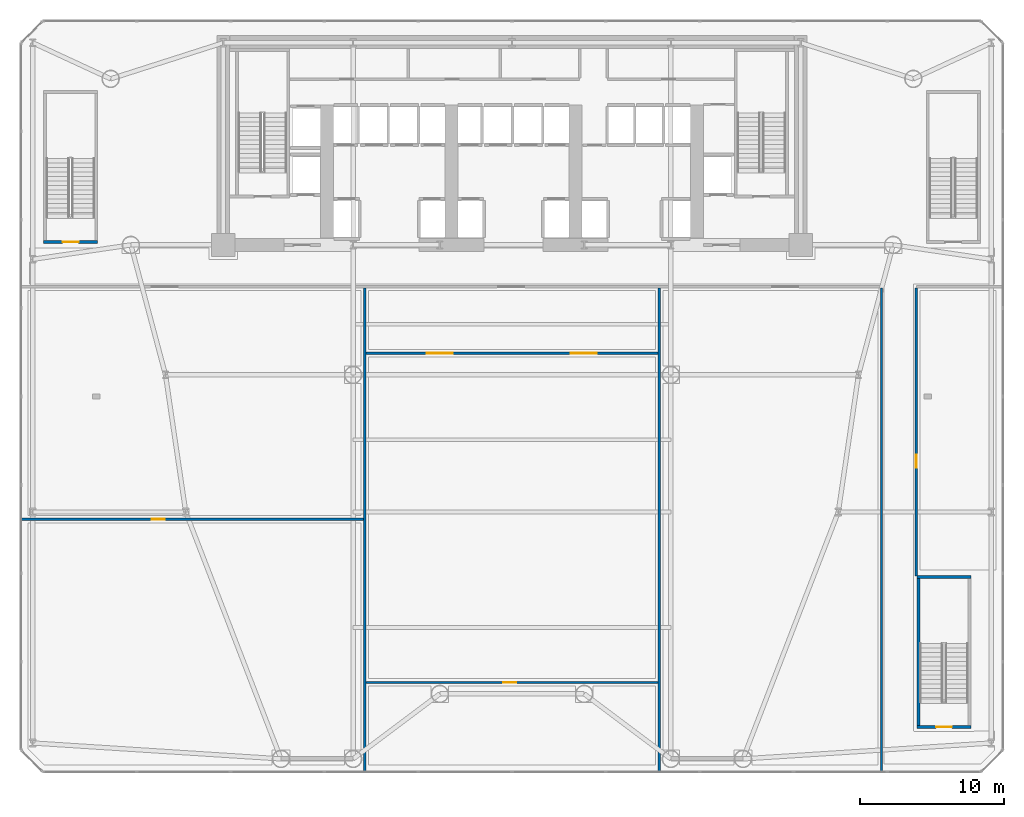
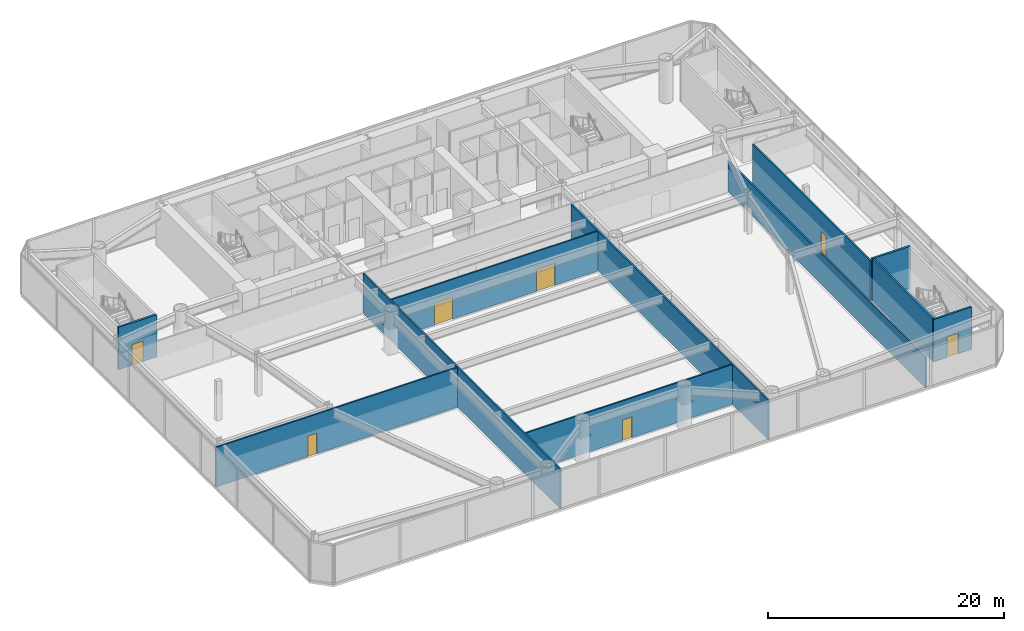
# One storey, part 13 of 24: 11 walls, 7 doors, 7 openings.
"""IFC4 building model written with IfcOpenShell, lengths in metres."""

from ifc_helpers import new_model, si_unit, direction, frame, frame_2d, origin, place, context, subcontext, project, spatial, rectangle, extrude, source, transform, mapped, material, layer, layer_set, type_object, element, fill, save


model = new_model("IFC4")

# Units and contexts
model_context = context("Model", 3, precision=1e-05, world=origin(), true_north=direction((0.0, 1.0)))
body_context = subcontext(model_context, "Body", "Model", "MODEL_VIEW")
ifc_project = project(units=[si_unit("LENGTHUNIT", "METRE"), si_unit("AREAUNIT", "SQUARE_METRE"), si_unit("VOLUMEUNIT", "CUBIC_METRE"), si_unit("PLANEANGLEUNIT", "RADIAN"), si_unit("MASSUNIT", "GRAM", prefix="KILO")], contexts=[model_context])

# Site, building, storey
site_placement = place(None, origin())
site = spatial("IfcSite", under=ifc_project, at=site_placement, CompositionType="ELEMENT")
building_placement = place(site_placement, origin())
building = spatial("IfcBuilding", under=site, at=building_placement, Name="Vaeldorn Concourse Tower", CompositionType="ELEMENT")
storey_placement = place(building_placement, frame((0.0, 0.0, 10.0)))
storey = spatial("IfcBuildingStorey", under=building, at=storey_placement, Name="L02", CompositionType="ELEMENT", Elevation=10.0)

# Wall
ifc_material_1 = material(Name="Gypsum Board Partition", Category="gypsum")
ifc_layer_1 = layer(ifc_material_1, 0.14990234375)
ifc_layer_set_1 = layer_set([ifc_layer_1], Name="Gypsum Board Partition")
wall_type_1 = type_object("IfcWallType", Name="WL-PART-150", PredefinedType="PARTITIONING", material=ifc_layer_set_1)
wall_1_placement = place(storey_placement, frame((59.60009765625, 0.0400390625, 0.0), z_axis=(0.0, 0.0, 1.0), x_axis=(0.0, 1.0, 0.0)))
element("IfcWall", 1, at=wall_1_placement, inside=storey, type_object=wall_type_1, Name="Interior Wall PW-L02-SPW", PredefinedType="PARTITIONING", context=body_context, shape_type="SweptSolid", body=[
    extrude(rectangle(XDim=33.47998046875, YDim=0.14990234375, at=frame_2d((16.739990234375, 0.0))), origin(), (0.0, 0.0, 1.0), 3.199951171875),
])

# Wall, opening, door
wall_2_placement = place(storey_placement, frame((62.0, 13.550048828125, 0.0), z_axis=(0.0, 0.0, 1.0), x_axis=(0.0, 1.0, 0.0)))
wall_2 = element("IfcWall", 2, at=wall_2_placement, inside=storey, type_object=wall_type_1, Name="Interior Wall PW-L02-SPE", PredefinedType="PARTITIONING", context=body_context, shape_type="SweptSolid", body=[
    extrude(rectangle(XDim=19.969970703125, YDim=0.14990234375, at=frame_2d((9.98486328125, 0.0))), origin(), (0.0, 0.0, 1.0), 4.1201171875),
])
opening_1_placement = place(wall_2_placement, frame((7.5, 0.0, 0.0)))
opening_1 = element("IfcOpeningElement", 3, at=opening_1_placement, cuts=wall_2, Name="Opening D-03", PredefinedType="OPENING", context=body_context, shape_type="SweptSolid", body=[
    extrude(rectangle(XDim=0.89990234375, YDim=2.14990234375, at=frame_2d((0.449951171875, 1.074951171875))), frame((0.0, 0.0849609375, 0.0), z_axis=(0.0, -1.0, 0.0), x_axis=(1.0, 0.0, 0.0)), (0.0, 0.0, 1.0), 0.169921875),
])
ifc_material_2 = material(Name="Acoustic Bronze-Framed Glass Door", Category="glass")
door_type_1 = type_object("IfcDoorType", Name="DR-INT-900", OperationType="NOTDEFINED", PredefinedType="DOOR", material=ifc_material_2)
shared_shape_1 = source(origin(), body_context, "Body", "SweptSolid", [
    extrude(rectangle(XDim=0.89990234375, YDim=2.14990234375, at=frame_2d((0.449951171875, 1.074951171875))), frame((0.0, 0.02490234375, 0.0), z_axis=(0.0, -1.0, 0.0), x_axis=(1.0, 0.0, 0.0)), (0.0, 0.0, 1.0), 0.050048828125),
])
door_1_placement = place(opening_1_placement, origin())
door_1 = element("IfcDoor", 4, at=door_1_placement, inside=storey, type_object=door_type_1, Name="Interior Door DR-L02-AVRM", OperationType="SINGLE_SWING_LEFT", OverallHeight=2.14990234375, OverallWidth=0.89990234375, PredefinedType="DOOR", context=body_context, shape_type="MappedRepresentation", body=[
    mapped(shared_shape_1, transform((0.0, 0.0, 0.0), scale=1.0)),
])
fill(opening_1, door_1)

# Walls
for number, where, z_axis, x_axis, name in (
    (5, (23.800048828125, 0.0400390625, 0.0), (0.0, 0.0, 1.0), (0.0, 1.0, 0.0), "Interior Wall PW-L02-W1"),
    (6, (44.199951171875, 0.0400390625, 0.0), (0.0, 0.0, 1.0), (0.0, 1.0, 0.0), "Interior Wall PW-L02-W2"),
):
    element("IfcWall", number, at=place(storey_placement, frame(where, z_axis=z_axis, x_axis=x_axis)), inside=storey, type_object=wall_type_1, Name=name, PredefinedType="PARTITIONING", context=body_context, shape_type="SweptSolid", body=[
        extrude(rectangle(XDim=33.47998046875, YDim=0.14990234375, at=frame_2d((16.739990234375, 0.0))), origin(), (0.0, 0.0, 1.0), 4.1201171875),
    ])

# Wall, openings, doors
wall_3_placement = place(storey_placement, frame((23.8798828125, 29.0, 0.0), z_axis=(0.0, 0.0, 1.0), x_axis=(1.0, 0.0, 0.0)))
wall_3 = element("IfcWall", 7, at=wall_3_placement, inside=storey, type_object=wall_type_1, Name="Interior Wall PW-L02-W3", PredefinedType="PARTITIONING", context=body_context, shape_type="SweptSolid", body=[
    extrude(rectangle(XDim=20.240234375, YDim=0.14990234375, at=frame_2d((10.1201171875, 0.0))), origin(), (0.0, 0.0, 1.0), 4.1201171875),
])
opening_2_placement = place(wall_3_placement, frame((4.199951171875, 0.0, 0.0)))
opening_2 = element("IfcOpeningElement", 8, at=opening_2_placement, cuts=wall_3, Name="Opening D-05", PredefinedType="OPENING", context=body_context, shape_type="SweptSolid", body=[
    extrude(rectangle(XDim=1.800048828125, YDim=2.25, at=frame_2d((0.89990234375, 1.125))), frame((0.0, 0.0849609375, 0.0), z_axis=(0.0, -1.0, 0.0), x_axis=(1.0, 0.0, 0.0)), (0.0, 0.0, 1.0), 0.169921875),
])
opening_3_placement = place(wall_3_placement, frame((14.199951171875, 0.0, 0.0)))
opening_3 = element("IfcOpeningElement", 9, at=opening_3_placement, cuts=wall_3, Name="Opening D-05", PredefinedType="OPENING", context=body_context, shape_type="SweptSolid", body=[
    extrude(rectangle(XDim=1.800048828125, YDim=2.25, at=frame_2d((0.89990234375, 1.125))), frame((0.0, 0.0849609375, 0.0), z_axis=(0.0, -1.0, 0.0), x_axis=(1.0, 0.0, 0.0)), (0.0, 0.0, 1.0), 0.169921875),
])
door_type_2 = type_object("IfcDoorType", Name="DR-DBL-1800", OperationType="DOUBLE_DOOR_SINGLE_SWING", PredefinedType="DOOR", material=ifc_material_2)
shared_shape_2 = source(origin(), body_context, "Body", "SweptSolid", [
    extrude(rectangle(XDim=1.800048828125, YDim=2.25, at=frame_2d((0.89990234375, 1.125))), frame((0.0, 0.02490234375, 0.0), z_axis=(0.0, -1.0, 0.0), x_axis=(1.0, 0.0, 0.0)), (0.0, 0.0, 1.0), 0.050048828125),
])
door_2_placement = place(opening_2_placement, origin())
door_2 = element("IfcDoor", 10, at=door_2_placement, inside=storey, type_object=door_type_2, Name="Interior Door DR-L02-AUD1", OperationType="DOUBLE_DOOR_SINGLE_SWING", OverallHeight=2.25, OverallWidth=1.800048828125, PredefinedType="DOOR", context=body_context, shape_type="MappedRepresentation", body=[
    mapped(shared_shape_2, transform((0.0, 0.0, 0.0), scale=1.0)),
])
fill(opening_2, door_2)
door_3_placement = place(opening_3_placement, origin())
door_3 = element("IfcDoor", 11, at=door_3_placement, inside=storey, type_object=door_type_2, Name="Interior Door DR-L02-AUD2", OperationType="DOUBLE_DOOR_SINGLE_SWING", OverallHeight=2.25, OverallWidth=1.800048828125, PredefinedType="DOOR", context=body_context, shape_type="MappedRepresentation", body=[
    mapped(shared_shape_2, transform((0.0, 0.0, 0.0), scale=1.0)),
])
fill(opening_3, door_3)

# Wall, opening, door
wall_4_placement = place(storey_placement, frame((23.8798828125, 6.199951171875, 0.0), z_axis=(0.0, 0.0, 1.0), x_axis=(1.0, 0.0, 0.0)))
wall_4 = element("IfcWall", 12, at=wall_4_placement, inside=storey, type_object=wall_type_1, Name="Interior Wall PW-L02-W4", PredefinedType="PARTITIONING", context=body_context, shape_type="SweptSolid", body=[
    extrude(rectangle(XDim=20.240234375, YDim=0.14990234375, at=frame_2d((10.1201171875, 0.0))), origin(), (0.0, 0.0, 1.0), 4.1201171875),
])
opening_4_placement = place(wall_4_placement, frame((9.5, 0.0, 0.0)))
opening_4 = element("IfcOpeningElement", 13, at=opening_4_placement, cuts=wall_4, Name="Opening D-03", PredefinedType="OPENING", context=body_context, shape_type="SweptSolid", body=[
    extrude(rectangle(XDim=0.89990234375, YDim=2.14990234375, at=frame_2d((0.449951171875, 1.074951171875))), frame((0.0, 0.0849609375, 0.0), z_axis=(0.0, -1.0, 0.0), x_axis=(1.0, 0.0, 0.0)), (0.0, 0.0, 1.0), 0.169921875),
])
door_4_placement = place(opening_4_placement, origin())
door_4 = element("IfcDoor", 14, at=door_4_placement, inside=storey, type_object=door_type_1, Name="Interior Door DR-L02-GRN", OperationType="SINGLE_SWING_RIGHT", OverallHeight=2.14990234375, OverallWidth=0.89990234375, PredefinedType="DOOR", context=body_context, shape_type="MappedRepresentation", body=[
    mapped(shared_shape_1, transform((0.0, 0.0, 0.0), scale=1.0)),
])
fill(opening_4, door_4)

wall_5_placement = place(storey_placement, frame((0.0400390625, 17.5, 0.0), z_axis=(0.0, 0.0, 1.0), x_axis=(1.0, 0.0, 0.0)))
wall_5 = element("IfcWall", 15, at=wall_5_placement, inside=storey, type_object=wall_type_1, Name="Interior Wall PW-L02-W5", PredefinedType="PARTITIONING", context=body_context, shape_type="SweptSolid", body=[
    extrude(rectangle(XDim=23.679931640625, YDim=0.14990234375, at=frame_2d((11.83984375, 0.0))), origin(), (0.0, 0.0, 1.0), 4.1201171875),
])
opening_5_placement = place(wall_5_placement, frame((9.0, 0.0, 0.0)))
opening_5 = element("IfcOpeningElement", 16, at=opening_5_placement, cuts=wall_5, Name="Opening D-03", PredefinedType="OPENING", context=body_context, shape_type="SweptSolid", body=[
    extrude(rectangle(XDim=0.89990234375, YDim=2.14990234375, at=frame_2d((0.449951171875, 1.074951171875))), frame((0.0, 0.0849609375, 0.0), z_axis=(0.0, -1.0, 0.0), x_axis=(1.0, 0.0, 0.0)), (0.0, 0.0, 1.0), 0.169921875),
])
door_5_placement = place(opening_5_placement, origin())
door_5 = element("IfcDoor", 17, at=door_5_placement, inside=storey, type_object=door_type_1, Name="Interior Door DR-L02-SEM1", OperationType="SINGLE_SWING_LEFT", OverallHeight=2.14990234375, OverallWidth=0.89990234375, PredefinedType="DOOR", context=body_context, shape_type="MappedRepresentation", body=[
    mapped(shared_shape_1, transform((0.0, 0.0, 0.0), scale=1.0)),
])
fill(opening_5, door_5)

ifc_material_3 = material(Name="Concrete C50/60", Category="concrete")
ifc_layer_2 = layer(ifc_material_3, 0.199951171875)
ifc_layer_set_2 = layer_set([ifc_layer_2], Name="Concrete C50/60")
wall_type_2 = type_object("IfcWallType", Name="WL-SHAFT-200", PredefinedType="SOLIDWALL", material=ifc_layer_set_2)
wall_6_placement = place(storey_placement, frame((1.550048828125, 36.699951171875, 0.0), z_axis=(0.0, 0.0, 1.0), x_axis=(1.0, 0.0, 0.0)))
wall_6 = element("IfcWall", 18, at=wall_6_placement, inside=storey, type_object=wall_type_2, Name="Stair Shaft Wall CW-L02-ST-3-S", PredefinedType="SOLIDWALL", context=body_context, shape_type="SweptSolid", body=[
    extrude(rectangle(XDim=3.75, YDim=0.199951171875, at=frame_2d((1.875, 0.0))), origin(), (0.0, 0.0, 1.0), 4.39990234375),
])
opening_6_placement = place(wall_6_placement, frame((1.324951171875, 0.0, 0.0)))
opening_6 = element("IfcOpeningElement", 19, at=opening_6_placement, cuts=wall_6, Name="Opening D-01", PredefinedType="OPENING", context=body_context, shape_type="SweptSolid", body=[
    extrude(rectangle(XDim=1.10009765625, YDim=2.14990234375, at=frame_2d((0.550048828125, 1.074951171875))), frame((0.0, 0.10986328125, 0.0), z_axis=(0.0, -1.0, 0.0), x_axis=(1.0, 0.0, 0.0)), (0.0, 0.0, 1.0), 0.219970703125),
])
ifc_material_4 = material(Name="Fire-Rated Timber and Steel Leaf", Category="steel")
door_type_3 = type_object("IfcDoorType", Name="DR-FD60-1100", OperationType="NOTDEFINED", PredefinedType="DOOR", material=ifc_material_4)
shared_shape_3 = source(origin(), body_context, "Body", "SweptSolid", [
    extrude(rectangle(XDim=1.10009765625, YDim=2.14990234375, at=frame_2d((0.550048828125, 1.074951171875))), frame((0.0, 0.02490234375, 0.0), z_axis=(0.0, -1.0, 0.0), x_axis=(1.0, 0.0, 0.0)), (0.0, 0.0, 1.0), 0.050048828125),
])
door_6_placement = place(opening_6_placement, origin())
door_6 = element("IfcDoor", 20, at=door_6_placement, inside=storey, type_object=door_type_3, Name="Interior Door DR-L02-ST-3", OperationType="SINGLE_SWING_LEFT", OverallHeight=2.14990234375, OverallWidth=1.10009765625, PredefinedType="DOOR", context=body_context, shape_type="MappedRepresentation", body=[
    mapped(shared_shape_3, transform((0.0, 0.0, 0.0), scale=1.0)),
])
fill(opening_6, door_6)

wall_7_placement = place(storey_placement, frame((62.050048828125, 3.10009765625, 0.0), z_axis=(0.0, 0.0, 1.0), x_axis=(1.0, 0.0, 0.0)))
wall_7 = element("IfcWall", 21, at=wall_7_placement, inside=storey, type_object=wall_type_2, Name="Stair Shaft Wall CW-L02-ST-5-S", PredefinedType="SOLIDWALL", context=body_context, shape_type="SweptSolid", body=[
    extrude(rectangle(XDim=3.75, YDim=0.199951171875, at=frame_2d((1.875, 0.0))), origin(), (0.0, 0.0, 1.0), 4.39990234375),
])
opening_7_placement = place(wall_7_placement, frame((1.324951171875, 0.0, 0.0)))
opening_7 = element("IfcOpeningElement", 22, at=opening_7_placement, cuts=wall_7, Name="Opening D-01", PredefinedType="OPENING", context=body_context, shape_type="SweptSolid", body=[
    extrude(rectangle(XDim=1.10009765625, YDim=2.14990234375, at=frame_2d((0.550048828125, 1.074951171875))), frame((0.0, 0.10986328125, 0.0), z_axis=(0.0, -1.0, 0.0), x_axis=(1.0, 0.0, 0.0)), (0.0, 0.0, 1.0), 0.219970703125),
])
door_7_placement = place(opening_7_placement, origin())
door_7 = element("IfcDoor", 23, at=door_7_placement, inside=storey, type_object=door_type_3, Name="Interior Door DR-L02-ST-5", OperationType="SINGLE_SWING_RIGHT", OverallHeight=2.14990234375, OverallWidth=1.10009765625, PredefinedType="DOOR", context=body_context, shape_type="MappedRepresentation", body=[
    mapped(shared_shape_3, transform((0.0, 0.0, 0.0), scale=1.0)),
])
fill(opening_7, door_7)

# Walls
wall_8_placement = place(storey_placement, frame((62.050048828125, 13.5, 0.0), z_axis=(0.0, 0.0, 1.0), x_axis=(1.0, 0.0, 0.0)))
element("IfcWall", 24, at=wall_8_placement, inside=storey, type_object=wall_type_2, Name="Stair Shaft Wall CW-L02-ST-5-N", PredefinedType="SOLIDWALL", context=body_context, shape_type="SweptSolid", body=[
    extrude(rectangle(XDim=3.75, YDim=0.199951171875, at=frame_2d((1.875, 0.0))), origin(), (0.0, 0.0, 1.0), 4.39990234375),
])
wall_9_placement = place(storey_placement, frame((62.14990234375, 3.2099609375, 0.0), z_axis=(0.0, 0.0, 1.0), x_axis=(0.0, 1.0, 0.0)))
element("IfcWall", 25, at=wall_9_placement, inside=storey, type_object=wall_type_2, Name="Stair Shaft Wall CW-L02-ST-5-W", PredefinedType="SOLIDWALL", context=body_context, shape_type="SweptSolid", body=[
    extrude(rectangle(XDim=10.179931640625, YDim=0.199951171875, at=frame_2d((5.08984375, 0.0))), origin(), (0.0, 0.0, 1.0), 4.39990234375),
])

save(model, "model.ifc")
